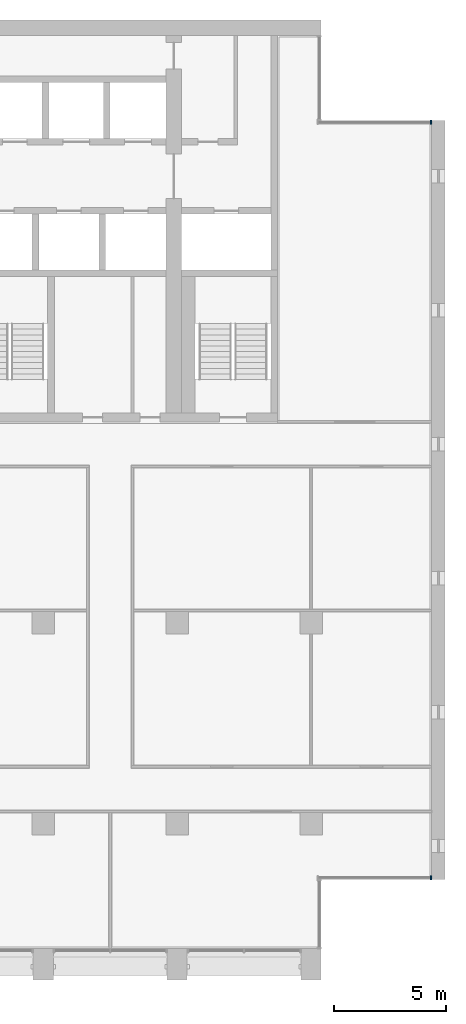
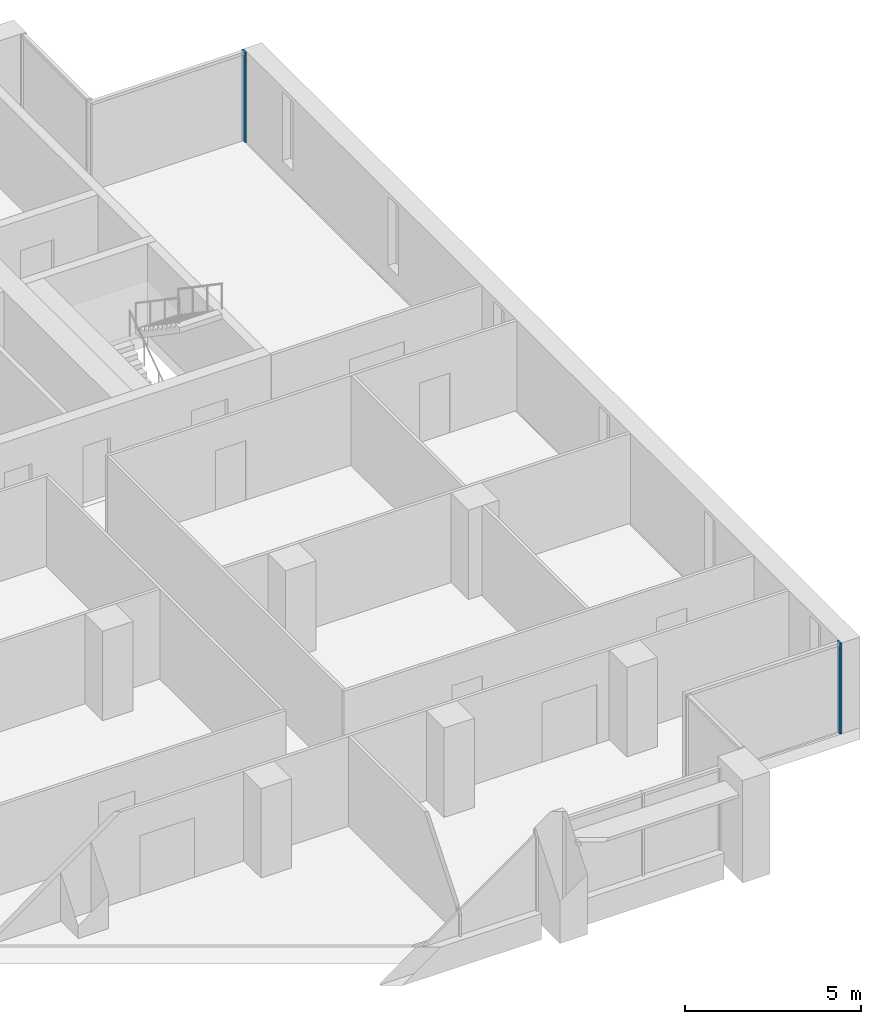
# One storey, part 6 of 16: 2 members, 2 elements without a shape of their own.
"""IFC4 building model written with IfcOpenShell, lengths in metres."""

from ifc_helpers import new_model, si_unit, direction, frame, origin, origin_2d, place, context, subcontext, project, spatial, rectangle, extrude, material, material_profile, profile_set, type_object, element, aggregate, save


model = new_model("IFC4")

# Units and contexts
model_context = context("Model", 3, precision=1e-05, world=origin(), true_north=direction((0.0, 1.0)))
body_context = subcontext(model_context, "Body", "Model", "MODEL_VIEW")
ifc_project = project(units=[si_unit("LENGTHUNIT", "METRE"), si_unit("AREAUNIT", "SQUARE_METRE"), si_unit("VOLUMEUNIT", "CUBIC_METRE"), si_unit("PLANEANGLEUNIT", "RADIAN"), si_unit("MASSUNIT", "GRAM", prefix="KILO")], contexts=[model_context])

# Site, building, storey
site_placement = place(None, origin())
site = spatial("IfcSite", under=ifc_project, at=site_placement, CompositionType="ELEMENT")
building_placement = place(site_placement, origin())
building = spatial("IfcBuilding", under=site, at=building_placement, Name="Calvaro Tower", CompositionType="ELEMENT")
storey_placement = place(building_placement, frame((0.0, 0.0, 223.0)))
storey = spatial("IfcBuildingStorey", under=building, at=storey_placement, Name="L56", CompositionType="ELEMENT", Elevation=223.0)

# Curtain wall, member
ifc_material_1 = material(Name="Anodised aluminium", Category="aluminium")
curtain_wall_type = type_object("IfcCurtainWallType", Name="Office curtain wall, upper zone", PredefinedType="NOTDEFINED", material=ifc_material_1)
curtain_wall_1_placement = place(storey_placement, origin())
curtain_wall_1 = element("IfcCurtainWall", 1, at=curtain_wall_1_placement, inside=storey, type_object=curtain_wall_type, Name="CW3 corner curtain wall", PredefinedType="NOTDEFINED")
ifc_material_2 = material(Name="Anodised aluminium", Category="aluminium")
ifc_material_profile = material_profile(ifc_material_2, rectangle(XDim=0.179931640625, YDim=0.06005859375, at=origin_2d()), Name="Mullion S3 60 x 180")
ifc_profile_set = profile_set([ifc_material_profile], Name="Anodised aluminium")
member_type = type_object("IfcMemberType", Name="Mullion S3 60 x 180", PredefinedType="MULLION", material=ifc_profile_set)
member_1_placement = place(storey_placement, frame((71.3701171875, 7.590087890625, 0.0), z_axis=(0.0, 0.0, 1.0), x_axis=(0.0, 1.0, 0.0)))
member_1 = element("IfcMember", 2, at=member_1_placement, type_object=member_type, Name="CW3 mullion 2", PredefinedType="MULLION", context=body_context, shape_type="SweptSolid", body=[
    extrude(rectangle(XDim=0.179931640625, YDim=0.06005859375, at=origin_2d()), origin(), (0.0, 0.0, 1.0), 3.14990234375),
])
aggregate(curtain_wall_1, [member_1])

curtain_wall_2_placement = place(storey_placement, origin())
curtain_wall_2 = element("IfcCurtainWall", 3, at=curtain_wall_2_placement, inside=storey, type_object=curtain_wall_type, Name="CW3 corner curtain wall", PredefinedType="NOTDEFINED")
member_2_placement = place(storey_placement, frame((71.3701171875, 41.409912109375, 0.0), z_axis=(0.0, 0.0, 1.0), x_axis=(0.0, 1.0, 0.0)))
member_2 = element("IfcMember", 4, at=member_2_placement, type_object=member_type, Name="CW3 mullion 2", PredefinedType="MULLION", context=body_context, shape_type="SweptSolid", body=[
    extrude(rectangle(XDim=0.179931640625, YDim=0.06005859375, at=origin_2d()), origin(), (0.0, 0.0, 1.0), 3.14990234375),
])
aggregate(curtain_wall_2, [member_2])

save(model, "model.ifc")
